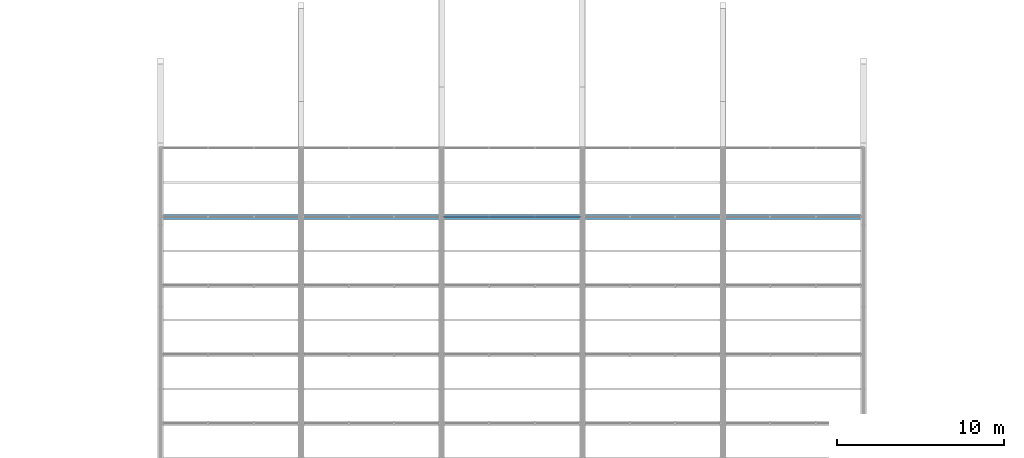
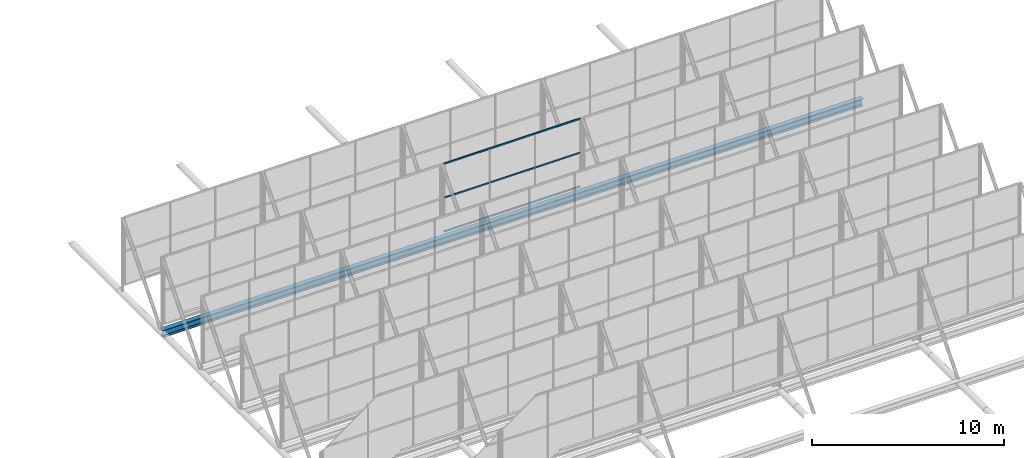
# One storey, part 34 of 77: 3 members, 1 beam, 1 element without a shape of its own.
"""IFC4 building model written with IfcOpenShell, lengths in metres."""

from ifc_helpers import new_model, si_unit, derived_unit, direction, frame, origin, origin_2d, place, context, subcontext, project, spatial, hollow_rectangle, i_section, extrude, material, material_profile, profile_set, type_object, element, aggregate, save


model = new_model("IFC4")

# Units and contexts
model_context = context("Model", 3, precision=1e-05, world=origin(), true_north=direction((0.0, 1.0)))
body_context = subcontext(model_context, "Body", "Model", "MODEL_VIEW")
ifc_project = project(units=[si_unit("LENGTHUNIT", "METRE"), si_unit("AREAUNIT", "SQUARE_METRE"), si_unit("VOLUMEUNIT", "CUBIC_METRE"), si_unit("PLANEANGLEUNIT", "RADIAN"), si_unit("MASSUNIT", "GRAM", prefix="KILO"), derived_unit("THERMALTRANSMITTANCEUNIT", [(si_unit("MASSUNIT", "GRAM", prefix="KILO"), 1), (si_unit("TIMEUNIT", "SECOND"), -3), (si_unit("THERMODYNAMICTEMPERATUREUNIT", "KELVIN"), -1)])], contexts=[model_context])

# Site, building, storey
site_placement = place(None, origin())
site = spatial("IfcSite", under=ifc_project, at=site_placement, CompositionType="ELEMENT")
building_placement = place(site_placement, origin())
building = spatial("IfcBuilding", under=site, at=building_placement, Name="Kharveza Railside Sports Centre", CompositionType="ELEMENT")
storey_placement = place(building_placement, frame((0.0, 0.0, 17.10009765625)))
storey = spatial("IfcBuildingStorey", under=building, at=storey_placement, Name="L04", CompositionType="ELEMENT", Elevation=17.10009765625)

# Beam
ifc_material_1 = material(Name="Steel S355J2", Category="steel")
ifc_material_profile_1 = material_profile(ifc_material_1, i_section(OverallWidth=0.300048828125, OverallDepth=0.449951171875, WebThickness=0.013916015625, FlangeThickness=0.02587890625, FilletRadius=0.027099609375, at=origin_2d()), Name="HEB 450")
ifc_profile_set_1 = profile_set([ifc_material_profile_1], Name="Steel S355J2")
beam_type = type_object("IfcBeamType", Name="BM-G06", PredefinedType="T_BEAM", material=ifc_profile_set_1)
beam_placement = place(storey_placement, frame((33.60009765625, 60.685791015625, -1.050048828125), z_axis=(1.0, 0.0, 0.0), x_axis=(0.0, 1.0, 0.0)))
element("IfcBeam", 1, at=beam_placement, inside=storey, type_object=beam_type, Name="BM-V1SAW-VAL-7", PredefinedType="T_BEAM", context=body_context, shape_type="SweptSolid", body=[
    extrude(i_section(OverallWidth=0.300048828125, OverallDepth=0.449951171875, WebThickness=0.013916015625, FlangeThickness=0.02587890625, FilletRadius=0.027099609375, at=origin_2d()), origin(), (0.0, 0.0, 1.0), 42.0),
])

# Curtain wall, members
ifc_material_2 = material(Name="Low-E solar-control laminated glass", Category="glass")
curtain_wall_type = type_object("IfcCurtainWallType", Name="CW-NL01", PredefinedType="NOTDEFINED", material=ifc_material_2)
curtain_wall_placement = place(storey_placement, origin())
curtain_wall = element("IfcCurtainWall", 2, at=curtain_wall_placement, inside=storey, type_object=curtain_wall_type, Name="CW-V1NL-6-3", PredefinedType="NOTDEFINED")
ifc_material_3 = material(Name="Anodised aluminium 6063-T6", Category="aluminium")
ifc_material_profile_2 = material_profile(ifc_material_3, hollow_rectangle(XDim=0.06005859375, YDim=0.10009765625, WallThickness=0.00390625, InnerFilletRadius=0.00390625, OuterFilletRadius=0.008056640625, at=origin_2d()), Name="RHS 60x100x4.0")
ifc_profile_set_2 = profile_set([ifc_material_profile_2], Name="Anodised aluminium 6063-T6")
member_type = type_object("IfcMemberType", Name="CW-TR05", PredefinedType="USERDEFINED", material=ifc_profile_set_2)
member_1_placement = place(storey_placement, frame((50.52001953125, 60.685791015625, -0.550048828125), z_axis=(1.0, 0.0, 0.0), x_axis=(0.0, 1.0, 0.0)))
member_1 = element("IfcMember", 3, at=member_1_placement, type_object=member_type, Name="CW-V1NL-6-3-TR1", ObjectType="TRANSOM", PredefinedType="USERDEFINED", context=body_context, shape_type="SweptSolid", body=[
    extrude(hollow_rectangle(XDim=0.06005859375, YDim=0.10009765625, WallThickness=0.00390625, InnerFilletRadius=0.00390625, OuterFilletRadius=0.008056640625, at=origin_2d()), origin(), (0.0, 0.0, 1.0), 8.159912109375),
])
member_2_placement = place(storey_placement, frame((50.52001953125, 60.685791015625, 1.599853515625), z_axis=(1.0, 0.0, 0.0), x_axis=(0.0, 1.0, 0.0)))
member_2 = element("IfcMember", 4, at=member_2_placement, type_object=member_type, Name="CW-V1NL-6-3-TR2", ObjectType="TRANSOM", PredefinedType="USERDEFINED", context=body_context, shape_type="SweptSolid", body=[
    extrude(hollow_rectangle(XDim=0.06005859375, YDim=0.10009765625, WallThickness=0.00390625, InnerFilletRadius=0.00390625, OuterFilletRadius=0.008056640625, at=origin_2d()), origin(), (0.0, 0.0, 1.0), 8.159912109375),
])
member_3_placement = place(storey_placement, frame((50.52001953125, 60.685791015625, 3.75), z_axis=(1.0, 0.0, 0.0), x_axis=(0.0, 1.0, 0.0)))
member_3 = element("IfcMember", 5, at=member_3_placement, type_object=member_type, Name="CW-V1NL-6-3-TR3", ObjectType="TRANSOM", PredefinedType="USERDEFINED", context=body_context, shape_type="SweptSolid", body=[
    extrude(hollow_rectangle(XDim=0.06005859375, YDim=0.10009765625, WallThickness=0.00390625, InnerFilletRadius=0.00390625, OuterFilletRadius=0.008056640625, at=origin_2d()), origin(), (0.0, 0.0, 1.0), 8.159912109375),
])
aggregate(curtain_wall, [member_1, member_2, member_3])

save(model, "model.ifc")
